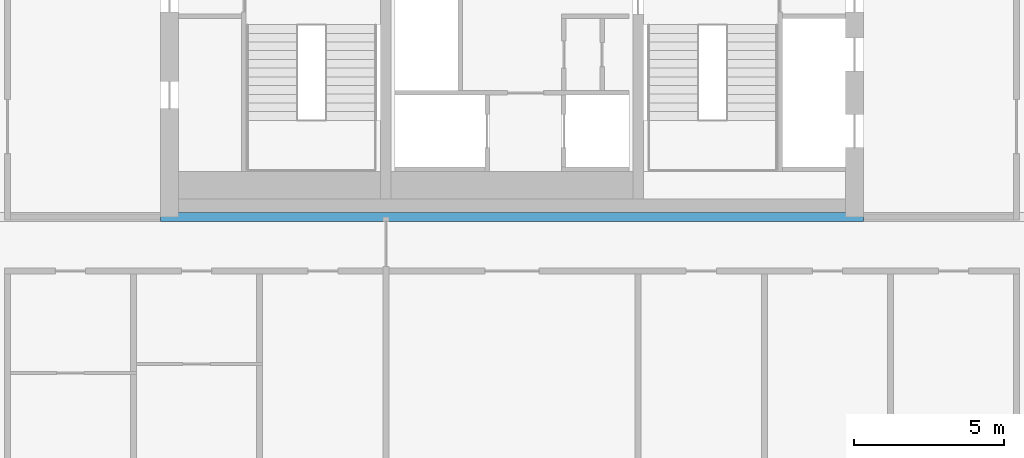
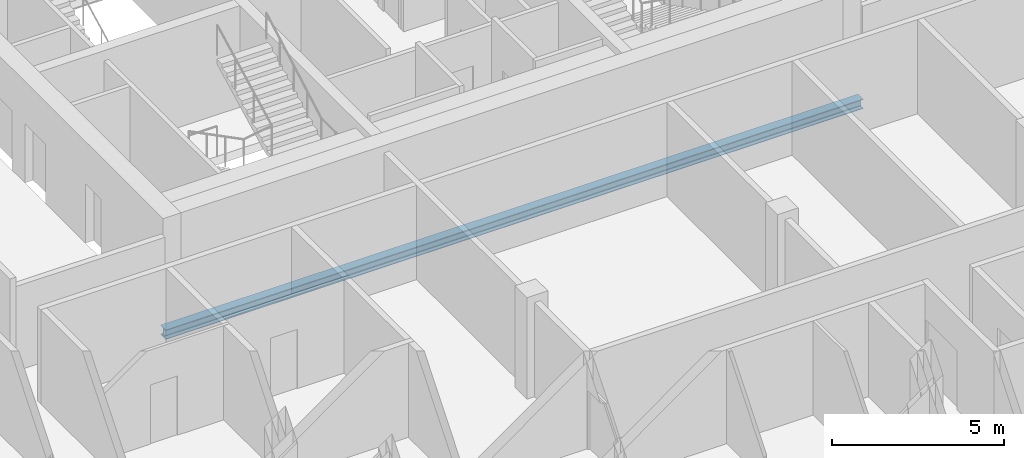
# One storey, part 9 of 19: 1 beam.
"""IFC4 building model written with IfcOpenShell, lengths in metres."""

from ifc_helpers import new_model, si_unit, direction, frame, origin, origin_2d, place, context, subcontext, project, spatial, i_section, extrude, material, material_profile, profile_set, type_object, element, save


model = new_model("IFC4")

# Units and contexts
model_context = context("Model", 3, precision=1e-05, world=origin(), true_north=direction((0.0, 1.0)))
body_context = subcontext(model_context, "Body", "Model", "MODEL_VIEW")
ifc_project = project(units=[si_unit("LENGTHUNIT", "METRE"), si_unit("AREAUNIT", "SQUARE_METRE"), si_unit("VOLUMEUNIT", "CUBIC_METRE"), si_unit("PLANEANGLEUNIT", "RADIAN"), si_unit("MASSUNIT", "GRAM", prefix="KILO")], contexts=[model_context])

# Site, building, storey
site_placement = place(None, origin())
site = spatial("IfcSite", under=ifc_project, at=site_placement, CompositionType="ELEMENT")
building_placement = place(site_placement, origin())
building = spatial("IfcBuilding", under=site, at=building_placement, Name="Marenta Gate Hotel Tower", CompositionType="ELEMENT")
storey_placement = place(building_placement, frame((0.0, 0.0, 274.10009765625)))
storey = spatial("IfcBuildingStorey", under=building, at=storey_placement, Name="L63", CompositionType="ELEMENT", Elevation=274.10009765625)

# Beam
ifc_material = material(Name="Steel S355", Category="steel")
ifc_material_profile = material_profile(ifc_material, i_section(OverallWidth=0.300048828125, OverallDepth=0.340087890625, WebThickness=0.011962890625, FlangeThickness=0.021484375, FilletRadius=0.027099609375, at=origin_2d()), Name="HEB 340")
ifc_profile_set = profile_set([ifc_material_profile], Name="Steel S355")
beam_type = type_object("IfcBeamType", Name="Girder HEB 340", PredefinedType="BEAM", material=ifc_profile_set)
beam_placement = place(storey_placement, frame((-11.699951171875, 0.0, -0.43017578125), z_axis=(1.0, 0.0, 0.0), x_axis=(0.0, 1.0, 0.0)))
element("IfcBeam", 1, at=beam_placement, inside=storey, type_object=beam_type, Name="L63-GD-17", PredefinedType="BEAM", context=body_context, shape_type="SweptSolid", body=[
    extrude(i_section(OverallWidth=0.300048828125, OverallDepth=0.340087890625, WebThickness=0.011962890625, FlangeThickness=0.021484375, FilletRadius=0.027099609375, at=origin_2d()), origin(), (0.0, 0.0, 1.0), 23.39990234375),
])

save(model, "model.ifc")
